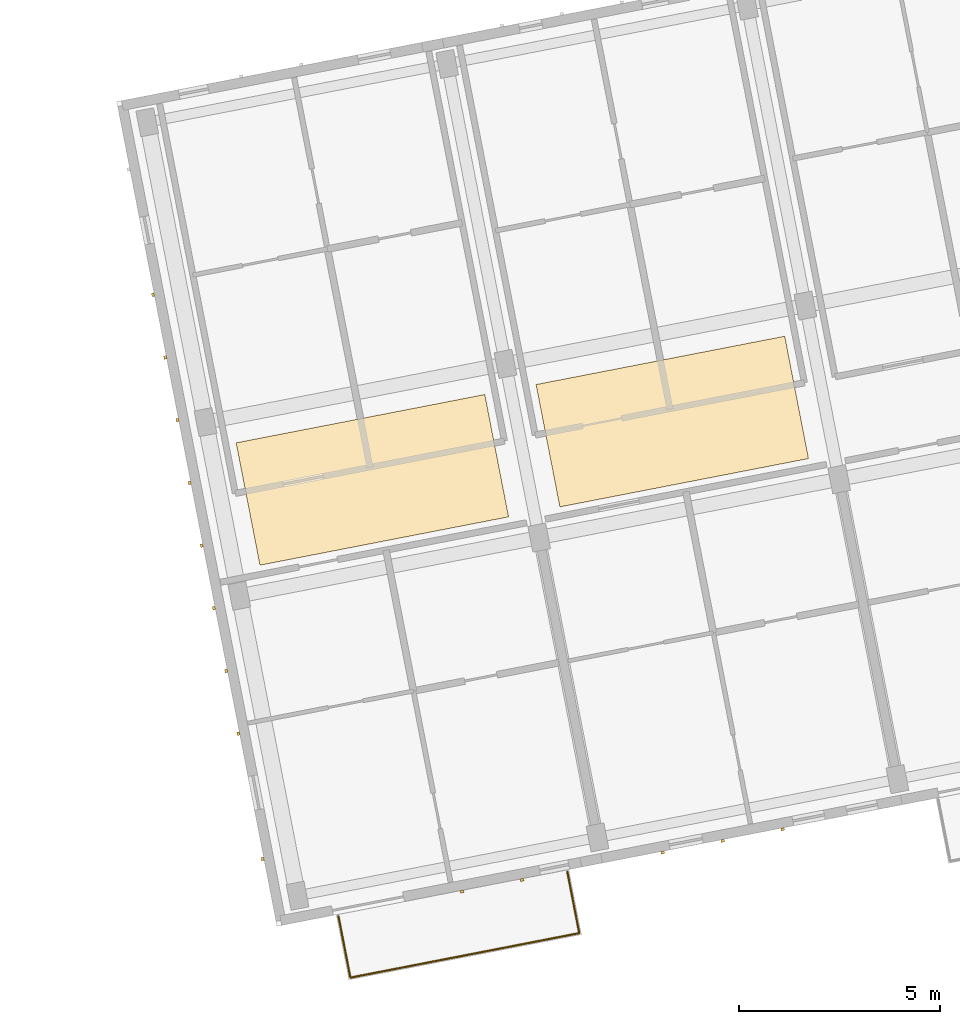
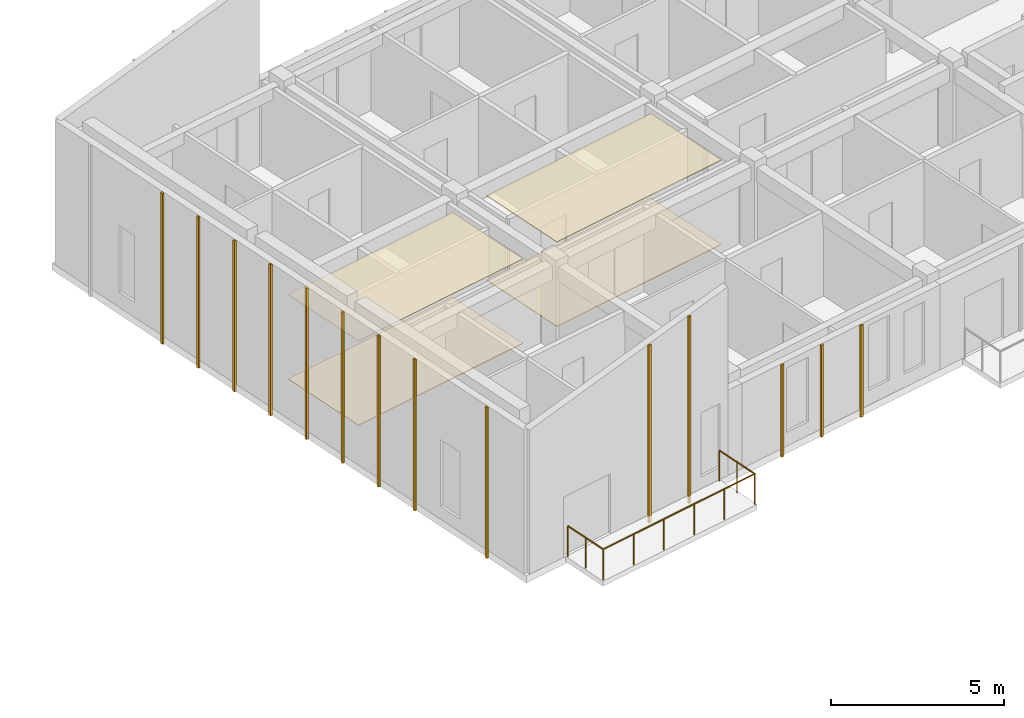
# One storey, part 51 of 65: 18 coverings, 1 railing.
"""IFC4 building model written with IfcOpenShell, lengths in metres."""

from ifc_helpers import new_model, si_unit, direction, frame, origin, origin_2d, place, context, subcontext, project, spatial, polyline, rectangle, circle, outline, extrude, material, layer, layer_set, type_object, element, save


model = new_model("IFC4")

# Units and contexts
model_context = context("Model", 3, precision=1e-05, world=origin(), true_north=direction((0.0, 1.0)))
body_context = subcontext(model_context, "Body", "Model", "MODEL_VIEW")
ifc_project = project(units=[si_unit("LENGTHUNIT", "METRE"), si_unit("AREAUNIT", "SQUARE_METRE"), si_unit("VOLUMEUNIT", "CUBIC_METRE"), si_unit("PLANEANGLEUNIT", "RADIAN"), si_unit("MASSUNIT", "GRAM", prefix="KILO")], contexts=[model_context])

# Site, building, storey
site_placement = place(None, origin())
site = spatial("IfcSite", under=ifc_project, at=site_placement, CompositionType="ELEMENT")
building_placement = place(site_placement, origin())
building = spatial("IfcBuilding", under=site, at=building_placement, Name="Kestramere Prow Commons", CompositionType="ELEMENT")
storey_placement = place(building_placement, frame((0.0, 0.0, 21.39990234375)))
storey = spatial("IfcBuildingStorey", under=building, at=storey_placement, Name="L06", CompositionType="ELEMENT", Elevation=21.39990234375)

# Coverings
ifc_material_1 = material(Name="Mineral Fibre Acoustic Ceiling Tile")
ifc_layer_1 = layer(ifc_material_1, 0.02490234375)
ifc_layer_set_1 = layer_set([ifc_layer_1], Name="Mineral Fibre Acoustic Ceiling Tile")
covering_type_1 = type_object("IfcCoveringType", Name="COV-CEIL-ACOUSTIC", PredefinedType="CEILING", material=ifc_layer_set_1)
covering_1_placement = place(storey_placement, frame((0.0, 0.0, 2.97509765625)))
element("IfcCovering", 1, at=covering_1_placement, inside=storey, type_object=covering_type_1, Name="Block D L06 Corridor Acoustic Ceiling 1", PredefinedType="CEILING", context=body_context, shape_type="SweptSolid", body=[
    extrude(outline(polyline([(117.4638671875, 42.222412109375), (123.648193359375, 43.424560546875), (123.056640625, 46.467529296875), (116.872314453125, 45.265380859375), (117.4638671875, 42.222412109375)])), origin(), (0.0, 0.0, 1.0), 0.02490234375),
])
covering_2_placement = place(storey_placement, frame((0.0, 0.0, 2.97509765625)))
element("IfcCovering", 2, at=covering_2_placement, inside=storey, type_object=covering_type_1, Name="Block D L06 Corridor Acoustic Ceiling 2", PredefinedType="CEILING", context=body_context, shape_type="SweptSolid", body=[
    extrude(outline(polyline([(124.92431640625, 43.672607421875), (131.1083984375, 44.874755859375), (130.51708984375, 47.917724609375), (124.332763671875, 46.715576171875), (124.92431640625, 43.672607421875)])), origin(), (0.0, 0.0, 1.0), 0.02490234375),
])
ifc_material_2 = material(Name="Weathered Zinc-Titanium Standing-Seam Cladding")
ifc_layer_2 = layer(ifc_material_2, 0.074951171875)
ifc_layer_set_2 = layer_set([ifc_layer_2], Name="Weathered Zinc-Titanium Standing-Seam Cladding")
covering_type_2 = type_object("IfcCoveringType", Name="COV-CLAD-SEAM", PredefinedType="CLADDING", material=ifc_layer_set_2)
covering_3_placement = place(storey_placement, frame((123.982177734375, 34.394775390625, -0.25), z_axis=(0.0, 0.0, 1.0), x_axis=(-0.981627183448, -0.190808995377, 0.0)))
element("IfcCovering", 3, at=covering_3_placement, inside=storey, type_object=covering_type_2, Name="EW-D-L06-S-0 Standing-Seam Rib 1", PredefinedType="CLADDING", context=body_context, shape_type="SweptSolid", body=[
    extrude(rectangle(XDim=0.0849609375, YDim=0.06494140625, at=origin_2d()), origin(), (0.0, 0.0, 1.0), 6.594482421875),
])
covering_4_placement = place(storey_placement, frame((122.490234375, 34.10498046875, -0.249755859375), z_axis=(0.0, 0.0, 1.0), x_axis=(-0.981627183448, -0.190808995377, 0.0)))
element("IfcCovering", 4, at=covering_4_placement, inside=storey, type_object=covering_type_2, Name="EW-D-L06-S-0 Standing-Seam Rib 2", PredefinedType="CLADDING", context=body_context, shape_type="SweptSolid", body=[
    extrude(rectangle(XDim=0.0849609375, YDim=0.06494140625, at=origin_2d()), origin(), (0.0, 0.0, 1.0), 6.27978515625),
])
for number, where, z_axis, x_axis, name in (
    (5, (130.4658203125, 35.6552734375, -0.25), (0.0, 0.0, 1.0), (-0.981627183448, -0.190808995377, 0.0), "EW-D-L06-S-1 Standing-Seam Rib 2"),
    (6, (128.973876953125, 35.365234375, -0.25), (0.0, 0.0, 1.0), (-0.981627183448, -0.190808995377, 0.0), "EW-D-L06-S-1 Standing-Seam Rib 3"),
    (7, (127.481689453125, 35.0751953125, -0.25), (0.0, 0.0, 1.0), (-0.981627183448, -0.190808995377, 0.0), "EW-D-L06-S-1 Standing-Seam Rib 4"),
):
    element("IfcCovering", number, at=place(storey_placement, frame(where, z_axis=z_axis, x_axis=x_axis)), inside=storey, type_object=covering_type_2, Name=name, PredefinedType="CLADDING", context=body_context, shape_type="SweptSolid", body=[
        extrude(rectangle(XDim=0.0849609375, YDim=0.06494140625, at=origin_2d()), origin(), (0.0, 0.0, 1.0), 3.25),
    ])
for number, where, z_axis, x_axis, name in (
    (8, (117.531982421875, 34.91455078125, -0.25), (0.0, 0.0, 1.0), (-0.190808995377, 0.981627183448, 0.0), "EW-D-L06-EAV Standing-Seam Rib 1"),
    (9, (116.92578125, 38.033203125, -0.25), (0.0, 0.0, 1.0), (-0.190808995377, 0.981627183448, 0.0), "EW-D-L06-EAV Standing-Seam Rib 3"),
    (10, (116.622802734375, 39.592529296875, -0.25), (0.0, 0.0, 1.0), (-0.190808995377, 0.981627183448, 0.0), "EW-D-L06-EAV Standing-Seam Rib 4"),
    (11, (116.319580078125, 41.15185546875, -0.25), (0.0, 0.0, 1.0), (-0.190808995377, 0.981627183448, 0.0), "EW-D-L06-EAV Standing-Seam Rib 5"),
    (12, (116.0166015625, 42.7109375, -0.25), (0.0, 0.0, 1.0), (-0.190808995377, 0.981627183448, 0.0), "EW-D-L06-EAV Standing-Seam Rib 6"),
    (13, (115.71337890625, 44.270263671875, -0.25), (0.0, 0.0, 1.0), (-0.190808995377, 0.981627183448, 0.0), "EW-D-L06-EAV Standing-Seam Rib 7"),
    (14, (115.410400390625, 45.82958984375, -0.25), (0.0, 0.0, 1.0), (-0.190808995377, 0.981627183448, 0.0), "EW-D-L06-EAV Standing-Seam Rib 8"),
    (15, (115.107177734375, 47.388916015625, -0.25), (0.0, 0.0, 1.0), (-0.190808995377, 0.981627183448, 0.0), "EW-D-L06-EAV Standing-Seam Rib 9"),
    (16, (114.80419921875, 48.9482421875, -0.25), (0.0, 0.0, 1.0), (-0.190808995377, 0.981627183448, 0.0), "EW-D-L06-EAV Standing-Seam Rib 10"),
):
    element("IfcCovering", number, at=place(storey_placement, frame(where, z_axis=z_axis, x_axis=x_axis)), inside=storey, type_object=covering_type_2, Name=name, PredefinedType="CLADDING", context=body_context, shape_type="SweptSolid", body=[
        extrude(rectangle(XDim=0.0849609375, YDim=0.06494140625, at=origin_2d()), origin(), (0.0, 0.0, 1.0), 5.336181640625),
    ])
ifc_material_3 = material(Name="Honed Cementitious Terrazzo Tile")
ifc_layer_3 = layer(ifc_material_3, 0.02001953125)
ifc_layer_set_3 = layer_set([ifc_layer_3], Name="Honed Cementitious Terrazzo Tile")
covering_type_3 = type_object("IfcCoveringType", Name="COV-FLOOR-TERRAZZO", PredefinedType="FLOORING", material=ifc_layer_set_3)
covering_5_placement = place(storey_placement, origin())
element("IfcCovering", 17, at=covering_5_placement, inside=storey, type_object=covering_type_3, Name="Block D L06 Corridor Terrazzo Flooring 1", PredefinedType="FLOORING", context=body_context, shape_type="SweptSolid", body=[
    extrude(outline(polyline([(117.4638671875, 42.222412109375), (123.648193359375, 43.424560546875), (123.056640625, 46.467529296875), (116.872314453125, 45.265380859375), (117.4638671875, 42.222412109375)])), origin(), (0.0, 0.0, 1.0), 0.02001953125),
])
covering_6_placement = place(storey_placement, origin())
element("IfcCovering", 18, at=covering_6_placement, inside=storey, type_object=covering_type_3, Name="Block D L06 Corridor Terrazzo Flooring 2", PredefinedType="FLOORING", context=body_context, shape_type="SweptSolid", body=[
    extrude(outline(polyline([(124.92431640625, 43.672607421875), (131.1083984375, 44.874755859375), (130.51708984375, 47.917724609375), (124.332763671875, 46.715576171875), (124.92431640625, 43.672607421875)])), origin(), (0.0, 0.0, 1.0), 0.02001953125),
])

# Railing
ifc_material_4 = material(Name="Powder-Coated Aluminium 6063-T6", Category="aluminium")
railing_type = type_object("IfcRailingType", Name="GRD-BALC-1100", PredefinedType="BALUSTRADE", material=ifc_material_4)
railing_placement = place(storey_placement, frame((119.4150390625, 33.494384765625, 0.0)))
element("IfcRailing", 19, at=railing_placement, inside=storey, type_object=railing_type, Name="Block D L06 Balcony Guardrail 1", PredefinedType="BALUSTRADE", context=body_context, shape_type="SweptSolid", body=[
    extrude(circle(Radius=0.02392578125, at=origin_2d()), frame((0.0, 0.0, 1.076171875), z_axis=(0.190936682564, -0.981602354954, 0.0), x_axis=(0.981602354954, 0.190936682564, 0.0)), (0.0, 0.0, 1.0), 1.56005859375),
    extrude(circle(Radius=0.02392578125, at=origin_2d()), frame((0.2978515625, -1.53125, 1.076171875), z_axis=(0.981626779841, 0.190811071742, 0.0), x_axis=(-0.190811071742, 0.981626779841, 0.0)), (0.0, 0.0, 1.0), 5.7998046875),
    extrude(circle(Radius=0.02392578125, at=origin_2d()), frame((5.9912109375, -0.424560546875, 1.076171875), z_axis=(-0.19078587602, 0.981631677113, 0.0), x_axis=(-0.981631677113, -0.19078587602, 0.0)), (0.0, 0.0, 1.0), 1.559814453125),
    extrude(circle(Radius=0.02099609375, at=origin_2d()), origin(), (0.0, 0.0, 1.0), 1.052001953125),
    extrude(circle(Radius=0.02099609375, at=origin_2d()), frame((0.14892578125, -0.765625, 0.0)), (0.0, 0.0, 1.0), 1.052001953125),
    extrude(circle(Radius=0.02099609375, at=origin_2d()), frame((0.2978515625, -1.53125, 0.0)), (0.0, 0.0, 1.0), 1.052001953125),
    extrude(circle(Radius=0.02099609375, at=origin_2d()), frame((1.4365234375, -1.309814453125, 0.0)), (0.0, 0.0, 1.0), 1.052001953125),
    extrude(circle(Radius=0.02099609375, at=origin_2d()), frame((2.5751953125, -1.088623046875, 0.0)), (0.0, 0.0, 1.0), 1.052001953125),
    extrude(circle(Radius=0.02099609375, at=origin_2d()), frame((3.7138671875, -0.8671875, 0.0)), (0.0, 0.0, 1.0), 1.052001953125),
    extrude(circle(Radius=0.02099609375, at=origin_2d()), frame((4.8525390625, -0.64599609375, 0.0)), (0.0, 0.0, 1.0), 1.052001953125),
    extrude(circle(Radius=0.02099609375, at=origin_2d()), frame((5.9912109375, -0.424560546875, 0.0)), (0.0, 0.0, 1.0), 1.052001953125),
    extrude(circle(Radius=0.02099609375, at=origin_2d()), frame((5.84228515625, 0.341064453125, 0.0)), (0.0, 0.0, 1.0), 1.052001953125),
    extrude(circle(Radius=0.02099609375, at=origin_2d()), frame((5.693603515625, 1.106689453125, 0.0)), (0.0, 0.0, 1.0), 1.052001953125),
])

save(model, "model.ifc")
